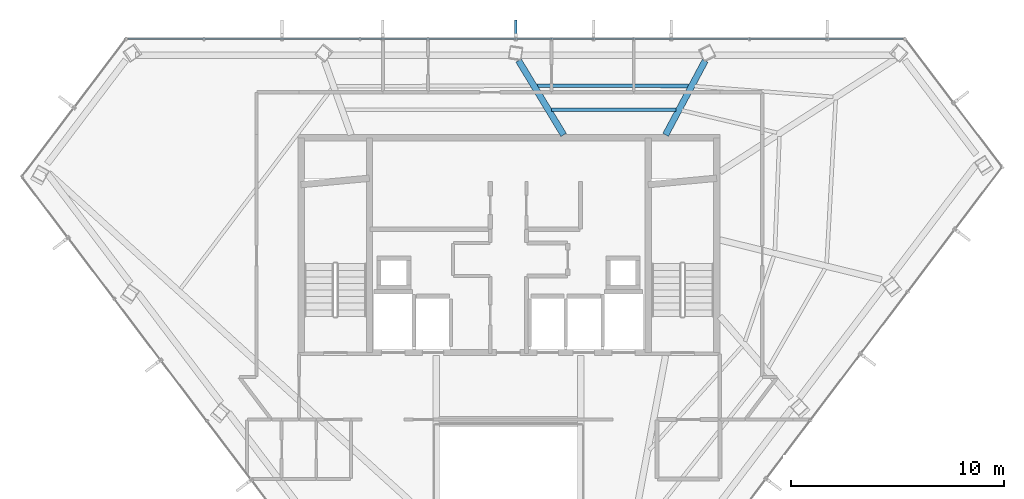
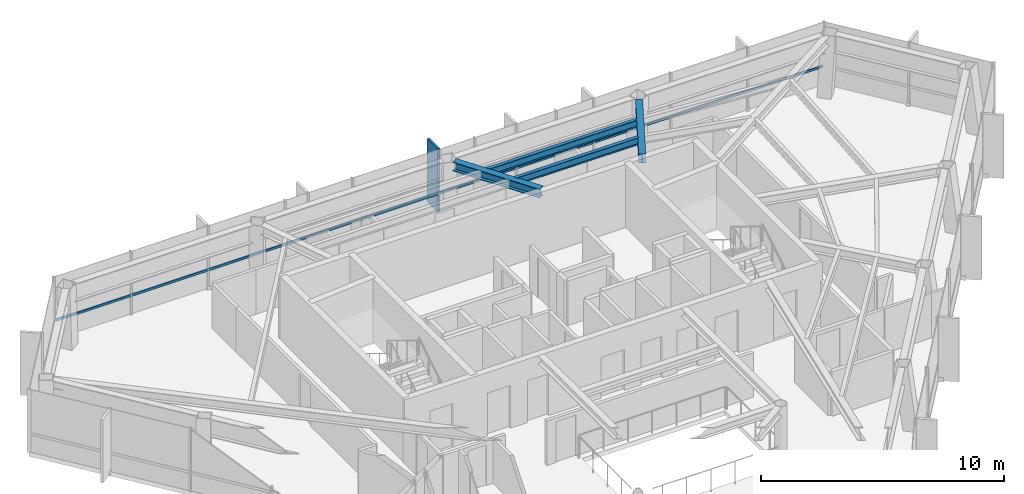
# One storey, part 13 of 25: 4 beams, 2 members, 1 element without a shape of its own.
"""IFC4 building model written with IfcOpenShell, lengths in metres."""

from ifc_helpers import new_model, si_unit, direction, frame, origin, origin_2d, place, context, subcontext, project, spatial, rectangle, hollow_rectangle, i_section, extrude, material, layer, layer_set, material_profile, profile_set, type_object, element, aggregate, save


model = new_model("IFC4")

# Units and contexts
model_context = context("Model", 3, precision=1e-05, world=origin(), true_north=direction((0.0, 1.0)))
body_context = subcontext(model_context, "Body", "Model", "MODEL_VIEW")
ifc_project = project(units=[si_unit("LENGTHUNIT", "METRE"), si_unit("AREAUNIT", "SQUARE_METRE"), si_unit("VOLUMEUNIT", "CUBIC_METRE"), si_unit("PLANEANGLEUNIT", "RADIAN"), si_unit("MASSUNIT", "GRAM", prefix="KILO")], contexts=[model_context])

# Site, building, storey
site_placement = place(None, origin())
site = spatial("IfcSite", under=ifc_project, at=site_placement, CompositionType="ELEMENT")
building_placement = place(site_placement, origin())
building = spatial("IfcBuilding", under=site, at=building_placement, Name="Zarrinselat Tower", CompositionType="ELEMENT")
storey_placement = place(building_placement, frame((0.0, 0.0, 246.159912109375)))
storey = spatial("IfcBuildingStorey", under=building, at=storey_placement, Name="L62", CompositionType="ELEMENT", Elevation=246.159912109375)

# Beams
ifc_material_1 = material(Name="Steel S355J2", Category="steel")
ifc_material_profile_1 = material_profile(ifc_material_1, i_section(OverallWidth=0.300048828125, OverallDepth=0.449951171875, WebThickness=0.013916015625, FlangeThickness=0.02587890625, at=origin_2d()), Name="HEB 450")
ifc_profile_set_1 = profile_set([ifc_material_profile_1], Name="Steel S355J2")
beam_type_1 = type_object("IfcBeamType", Name="BM-HEB450", PredefinedType="BEAM", material=ifc_profile_set_1)
beam_1_placement = place(storey_placement, frame((45.800048828125, 43.5400390625, 2.955078125), z_axis=(0.470456794458, 0.882423030382, 0.0), x_axis=(-0.882423030382, 0.470456794458, 0.0)))
element("IfcBeam", 1, at=beam_1_placement, inside=storey, type_object=beam_type_1, Name="L62 Radial Primary Girder RG02", PredefinedType="BEAM", context=body_context, shape_type="SweptSolid", body=[
    extrude(i_section(OverallWidth=0.300048828125, OverallDepth=0.449951171875, WebThickness=0.013916015625, FlangeThickness=0.02587890625, at=origin_2d()), origin(), (0.0, 0.0, 1.0), 3.952880859375),
])
beam_2_placement = place(storey_placement, frame((38.883056640625, 47.0361328125, 2.955078125), z_axis=(0.517961438805, -0.855403967673, 0.0), x_axis=(0.855403967673, 0.517961438805, 0.0)))
element("IfcBeam", 2, at=beam_2_placement, inside=storey, type_object=beam_type_1, Name="L62 Radial Primary Girder RG03", PredefinedType="BEAM", context=body_context, shape_type="SweptSolid", body=[
    extrude(i_section(OverallWidth=0.300048828125, OverallDepth=0.449951171875, WebThickness=0.013916015625, FlangeThickness=0.02587890625, at=origin_2d()), origin(), (0.0, 0.0, 1.0), 4.087158203125),
])
ifc_material_2 = material(Name="Steel S355J2", Category="steel")
ifc_material_profile_2 = material_profile(ifc_material_2, i_section(OverallWidth=0.169921875, OverallDepth=0.360107421875, WebThickness=0.008056640625, FlangeThickness=0.0126953125, at=origin_2d()), Name="IPE 360")
ifc_profile_set_2 = profile_set([ifc_material_profile_2], Name="Steel S355J2")
beam_type_2 = type_object("IfcBeamType", Name="BM-IPE360", PredefinedType="JOIST", material=ifc_profile_set_2)
beam_3_placement = place(storey_placement, frame((39.742919921875, 45.847412109375, 3.0), z_axis=(0.999999742504, -0.000717629587, 0.0), x_axis=(0.000717629587, 0.999999742504, 0.0)))
element("IfcBeam", 3, at=beam_3_placement, inside=storey, type_object=beam_type_2, Name="L62 Composite Floor Joist 7-1", PredefinedType="JOIST", context=body_context, shape_type="SweptSolid", body=[
    extrude(i_section(OverallWidth=0.169921875, OverallDepth=0.360107421875, WebThickness=0.008056640625, FlangeThickness=0.0126953125, at=origin_2d()), origin(), (0.0, 0.0, 1.0), 7.144287109375),
])
beam_4_placement = place(storey_placement, frame((40.42041015625, 44.728515625, 3.0), z_axis=(0.999999913562, -0.000415783092, 0.0), x_axis=(0.000415783092, 0.999999913562, 0.0)))
element("IfcBeam", 4, at=beam_4_placement, inside=storey, type_object=beam_type_2, Name="L62 Composite Floor Joist 7-2", PredefinedType="JOIST", context=body_context, shape_type="SweptSolid", body=[
    extrude(i_section(OverallWidth=0.169921875, OverallDepth=0.360107421875, WebThickness=0.008056640625, FlangeThickness=0.0126953125, at=origin_2d()), origin(), (0.0, 0.0, 1.0), 5.871826171875),
])

# Curtain wall, members
ifc_material_3 = material(Name="Extruded Aluminium Alloy EN AW-6063 T6", Category="aluminium")
ifc_layer = layer(ifc_material_3, 0.169921875)
ifc_layer_set = layer_set([ifc_layer], Name="Extruded Aluminium Alloy EN AW-6063 T6")
curtain_wall_type = type_object("IfcCurtainWallType", Name="CWS-RES", PredefinedType="NOTDEFINED", material=ifc_layer_set)
curtain_wall_placement = place(storey_placement, origin())
curtain_wall = element("IfcCurtainWall", 5, at=curtain_wall_placement, inside=storey, type_object=curtain_wall_type, Name="L62 Unitised Curtain Wall CW-L62-E01", PredefinedType="NOTDEFINED")
ifc_material_4 = material(Name="Extruded Aluminium Alloy EN AW-6063 T6", Category="aluminium")
ifc_material_profile_3 = material_profile(ifc_material_4, hollow_rectangle(XDim=0.06005859375, YDim=0.1201171875, WallThickness=0.00390625, at=origin_2d()), Name="RHS 120x60x4")
ifc_profile_set_3 = profile_set([ifc_material_profile_3], Name="Extruded Aluminium Alloy EN AW-6063 T6")
member_type_1 = type_object("IfcMemberType", Name="MEM-CW-TRN2", PredefinedType="USERDEFINED", material=ifc_profile_set_3)
member_1_placement = place(storey_placement, frame((56.978515625, 48.06103515625, 0.9501953125), z_axis=(-1.0, 0.0, 0.0), x_axis=(0.0, -1.0, 0.0)))
member_1 = element("IfcMember", 6, at=member_1_placement, type_object=member_type_1, Name="CW-L62-E01 Transom 1", ObjectType="TRANSOM", PredefinedType="USERDEFINED", context=body_context, shape_type="SweptSolid", body=[
    extrude(hollow_rectangle(XDim=0.06005859375, YDim=0.1201171875, WallThickness=0.00390625, at=origin_2d()), origin(), (0.0, 0.0, 1.0), 36.467529296875),
])
ifc_material_5 = material(Name="Honed Cream Travertine Stone", Category="masonry")
ifc_material_profile_4 = material_profile(ifc_material_5, rectangle(XDim=0.1201171875, YDim=0.85009765625, at=origin_2d()), Name="FIN 850x120")
ifc_profile_set_4 = profile_set([ifc_material_profile_4], Name="Honed Cream Travertine Stone")
member_type_2 = type_object("IfcMemberType", Name="MEM-STONE-FIN", PredefinedType="USERDEFINED", material=ifc_profile_set_4)
member_2_placement = place(storey_placement, frame((38.744873046875, 48.52099609375, 0.0), z_axis=(0.0, 0.0, 1.0), x_axis=(1.0, 0.0, 0.0)))
member_2 = element("IfcMember", 7, at=member_2_placement, type_object=member_type_2, Name="L62 Stone Shading Fin CW-L62-E01-07", ObjectType="FIN", PredefinedType="USERDEFINED", context=body_context, shape_type="SweptSolid", body=[
    extrude(rectangle(XDim=0.1201171875, YDim=0.85009765625, at=origin_2d()), origin(), (0.0, 0.0, 1.0), 3.18017578125),
])
aggregate(curtain_wall, [member_2, member_1])

save(model, "model.ifc")
